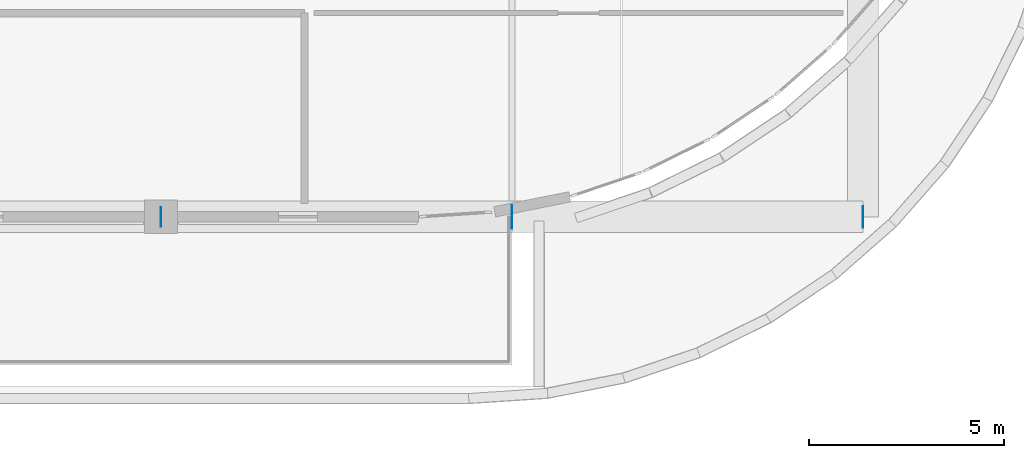
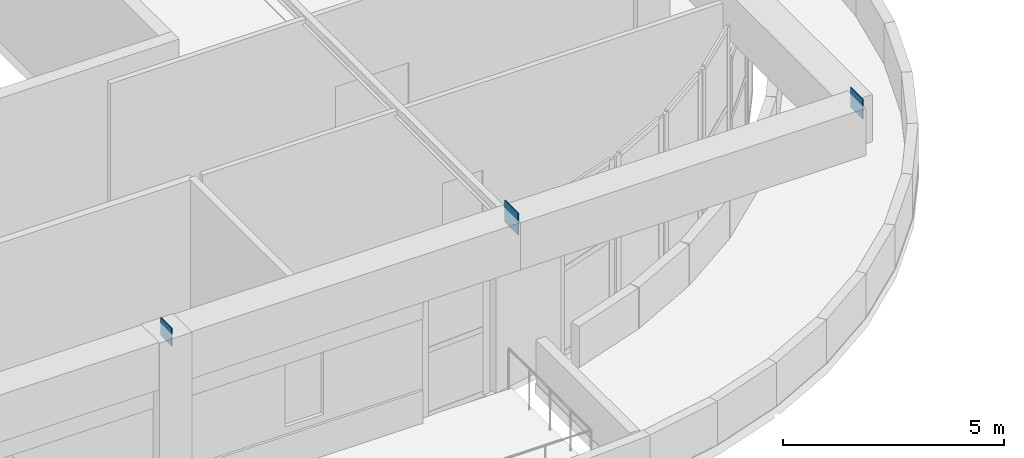
# One storey, part 37 of 67: 3 plates.
"""IFC4 building model written with IfcOpenShell, lengths in metres."""

from ifc_helpers import new_model, si_unit, direction, frame, origin, origin_2d, place, context, subcontext, project, spatial, rectangle, extrude, material, layer, layer_set, type_object, element, save


model = new_model("IFC4")

# Units and contexts
model_context = context("Model", 3, precision=1e-05, world=origin(), true_north=direction((0.0, 1.0)))
body_context = subcontext(model_context, "Body", "Model", "MODEL_VIEW")
ifc_project = project(units=[si_unit("LENGTHUNIT", "METRE"), si_unit("AREAUNIT", "SQUARE_METRE"), si_unit("VOLUMEUNIT", "CUBIC_METRE"), si_unit("PLANEANGLEUNIT", "RADIAN"), si_unit("MASSUNIT", "GRAM", prefix="KILO")], contexts=[model_context])

# Site, building, storey
site_placement = place(None, origin())
site = spatial("IfcSite", under=ifc_project, at=site_placement, CompositionType="ELEMENT")
building_placement = place(site_placement, origin())
building = spatial("IfcBuilding", under=site, at=building_placement, Name="Cendralis Terraced Arcade", CompositionType="ELEMENT")
storey_placement = place(building_placement, frame((0.0, 0.0, 15.0)))
storey = spatial("IfcBuildingStorey", under=building, at=storey_placement, Name="L03", CompositionType="ELEMENT", Elevation=15.0)

# Plates
ifc_material = material(Name="Steel ASTM A572 Grade 50", Category="steel")
ifc_layer_1 = layer(ifc_material, 0.01806640625, Name="PLT-GUS-500x500x18")
ifc_layer_set_1 = layer_set([ifc_layer_1], Name="Steel ASTM A572 Grade 50")
plate_type_1 = type_object("IfcPlateType", Name="PLT-GUS-500x500x18", PredefinedType="SHEET", material=ifc_layer_set_1)
plate_1_placement = place(storey_placement, frame((112.199951171875, 9.60009765625, 4.449951171875), z_axis=(0.0, 0.0, 1.0), x_axis=(0.0, 1.0, 0.0)))
element("IfcPlate", 1, at=plate_1_placement, inside=storey, type_object=plate_type_1, Name="Gourmet Food Hall Vault Springing Node Gusset Plate 06-S", PredefinedType="SHEET", context=body_context, shape_type="SweptSolid", body=[
    extrude(rectangle(XDim=0.5, YDim=0.01806640625, at=origin_2d()), origin(), (0.0, 0.0, 1.0), 0.5),
])
ifc_layer_2 = layer(ifc_material, 0.01806640625, Name="PLT-GUS-550x550x18")
ifc_layer_set_2 = layer_set([ifc_layer_2], Name="Steel ASTM A572 Grade 50")
plate_type_2 = type_object("IfcPlateType", Name="PLT-GUS-550x550x18", PredefinedType="SHEET", material=ifc_layer_set_2)
plate_2_placement = place(storey_placement, frame((130.199951171875, 9.60009765625, 4.4248046875), z_axis=(0.0, 0.0, 1.0), x_axis=(0.0, 1.0, 0.0)))
element("IfcPlate", 2, at=plate_2_placement, inside=storey, type_object=plate_type_2, Name="Gourmet Food Hall Vault Springing Node Gusset Plate 08-S", PredefinedType="SHEET", context=body_context, shape_type="SweptSolid", body=[
    extrude(rectangle(XDim=0.550048828125, YDim=0.01806640625, at=origin_2d()), origin(), (0.0, 0.0, 1.0), 0.550048828125),
])
ifc_layer_3 = layer(ifc_material, 0.02001953125, Name="PLT-GUS-600x600x20")
ifc_layer_set_3 = layer_set([ifc_layer_3], Name="Steel ASTM A572 Grade 50")
plate_type_3 = type_object("IfcPlateType", Name="PLT-GUS-600x600x20", PredefinedType="SHEET", material=ifc_layer_set_3)
plate_3_placement = place(storey_placement, frame((121.199951171875, 9.60009765625, 4.39990234375), z_axis=(0.0, 0.0, 1.0), x_axis=(0.0, 1.0, 0.0)))
element("IfcPlate", 3, at=plate_3_placement, inside=storey, type_object=plate_type_3, Name="Gourmet Food Hall Vault Springing Node Gusset Plate 07-S", PredefinedType="SHEET", context=body_context, shape_type="SweptSolid", body=[
    extrude(rectangle(XDim=0.60009765625, YDim=0.02001953125, at=origin_2d()), origin(), (0.0, 0.0, 1.0), 0.60009765625),
])

save(model, "model.ifc")
